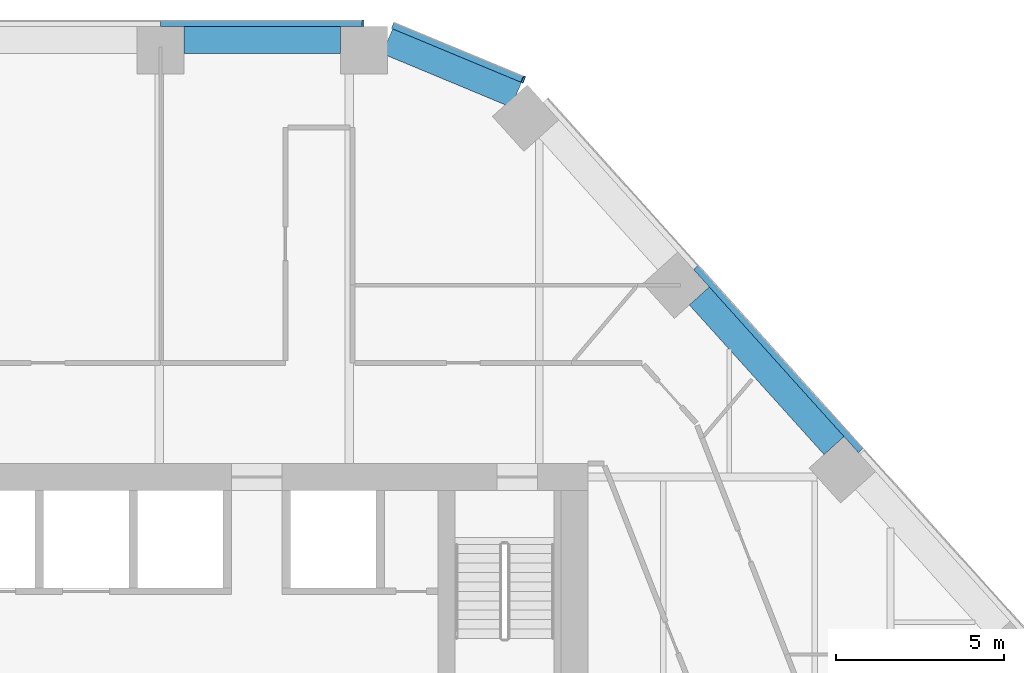
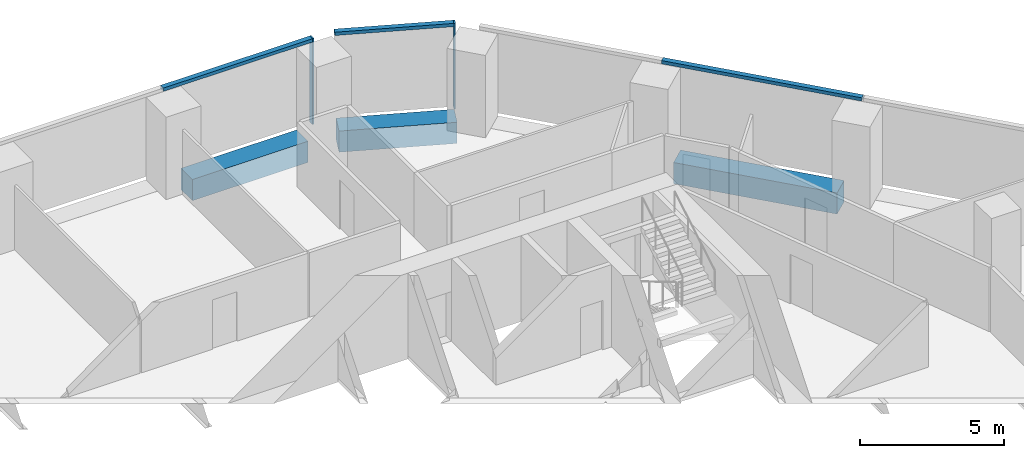
# One storey, part 9 of 16: 5 members, 3 beams, 3 elements without a shape of their own.
"""IFC4 building model written with IfcOpenShell, lengths in metres."""

from ifc_helpers import new_model, si_unit, direction, frame, origin, origin_2d, place, context, subcontext, project, spatial, rectangle, extrude, material, layer, layer_set, material_profile, profile_set, type_object, element, aggregate, save


model = new_model("IFC4")

# Units and contexts
model_context = context("Model", 3, precision=1e-05, world=origin(), true_north=direction((0.0, 1.0)))
body_context = subcontext(model_context, "Body", "Model", "MODEL_VIEW")
ifc_project = project(units=[si_unit("LENGTHUNIT", "METRE"), si_unit("AREAUNIT", "SQUARE_METRE"), si_unit("VOLUMEUNIT", "CUBIC_METRE"), si_unit("PLANEANGLEUNIT", "RADIAN"), si_unit("MASSUNIT", "GRAM", prefix="KILO")], contexts=[model_context])

# Site, building, storey
site_placement = place(None, origin())
site = spatial("IfcSite", under=ifc_project, at=site_placement, CompositionType="ELEMENT")
building_placement = place(site_placement, origin())
building = spatial("IfcBuilding", under=site, at=building_placement, Name="Isthmus Gate Tower", CompositionType="ELEMENT")
storey_placement = place(building_placement, frame((0.0, 0.0, 133.449951171875)))
storey = spatial("IfcBuildingStorey", under=building, at=storey_placement, Name="L32", CompositionType="ELEMENT", Elevation=133.449951171875)

# Curtain wall, member
ifc_material_1 = material(Name="Aluminium, pale champagne anodised", Category="aluminium")
ifc_layer = layer(ifc_material_1, 0.199951171875)
ifc_layer_set = layer_set([ifc_layer], Name="CW-1 UNITISED CURTAIN WALL 200 DEEP")
curtain_wall_type = type_object("IfcCurtainWallType", Name="CW-1 UNITISED CURTAIN WALL 200 DEEP", PredefinedType="NOTDEFINED", material=ifc_layer_set)
curtain_wall_1_placement = place(storey_placement, origin())
curtain_wall_1 = element("IfcCurtainWall", 1, at=curtain_wall_1_placement, inside=storey, type_object=curtain_wall_type, Name="CW-1 N L32", PredefinedType="NOTDEFINED")
ifc_material_2 = material(Name="Aluminium, pale champagne anodised", Category="aluminium")
ifc_material_profile_1 = material_profile(ifc_material_2, rectangle(XDim=0.06005859375, YDim=0.199951171875, at=origin_2d()), Name="60x200")
ifc_profile_set_1 = profile_set([ifc_material_profile_1], Name="Aluminium, pale champagne anodised")
member_type_1 = type_object("IfcMemberType", Name="CW-1 MULLION 60 X 200", PredefinedType="MULLION", material=ifc_profile_set_1)
member_1_placement = place(storey_placement, frame((8.30859375, 28.10009765625, 0.0), z_axis=(0.0, 0.0, 1.0), x_axis=(-1.0, 0.0, 0.0)))
member_1 = element("IfcMember", 2, at=member_1_placement, type_object=member_type_1, Name="CW-1 mullion", PredefinedType="MULLION", context=body_context, shape_type="SweptSolid", body=[
    extrude(rectangle(XDim=0.06005859375, YDim=0.199951171875, at=origin_2d()), origin(), (0.0, 0.0, 1.0), 3.650146484375),
])

curtain_wall_2_placement = place(storey_placement, origin())
curtain_wall_2 = element("IfcCurtainWall", 3, at=curtain_wall_2_placement, inside=storey, type_object=curtain_wall_type, Name="CW-1 NE-N L32", PredefinedType="NOTDEFINED")
member_2_placement = place(storey_placement, frame((13.080810546875, 26.427490234375, 0.0), z_axis=(0.0, 0.0, 1.0), x_axis=(-0.923353128387, 0.383951820282, 0.0)))
member_2 = element("IfcMember", 4, at=member_2_placement, type_object=member_type_1, Name="CW-1 mullion", PredefinedType="MULLION", context=body_context, shape_type="SweptSolid", body=[
    extrude(rectangle(XDim=0.06005859375, YDim=0.199951171875, at=origin_2d()), origin(), (0.0, 0.0, 1.0), 3.650146484375),
])

# Member
ifc_material_3 = material(Name="Aluminium, pale champagne anodised", Category="aluminium")
ifc_material_profile_2 = material_profile(ifc_material_3, rectangle(XDim=0.199951171875, YDim=0.139892578125, at=origin_2d()), Name="200x140")
ifc_profile_set_2 = profile_set([ifc_material_profile_2], Name="Aluminium, pale champagne anodised")
member_type_2 = type_object("IfcMemberType", Name="CW-1 TRANSOM 200 X 140", PredefinedType="USERDEFINED", material=ifc_profile_set_2)
member_3_placement = place(storey_placement, frame((8.278564453125, 28.10009765625, 3.580078125), z_axis=(-1.0, 0.0, 0.0), x_axis=(0.0, -1.0, 0.0)))
member_3 = element("IfcMember", 5, at=member_3_placement, type_object=member_type_2, Name="CW-1 transom", ObjectType="TRANSOM", PredefinedType="USERDEFINED", context=body_context, shape_type="SweptSolid", body=[
    extrude(rectangle(XDim=0.199951171875, YDim=0.139892578125, at=origin_2d()), origin(), (0.0, 0.0, 1.0), 5.990234375),
])

aggregate(curtain_wall_1, [member_1, member_3])

# Curtain wall, member
curtain_wall_3_placement = place(storey_placement, origin())
curtain_wall_3 = element("IfcCurtainWall", 6, at=curtain_wall_3_placement, inside=storey, type_object=curtain_wall_type, Name="CW-1 NE L32", PredefinedType="NOTDEFINED")
member_4_placement = place(storey_placement, frame((23.126708984375, 15.3955078125, 3.580078125), z_axis=(-0.669137671884, 0.743138463589, 0.0), x_axis=(-0.743138463589, -0.669137671884, 0.0)))
member_4 = element("IfcMember", 7, at=member_4_placement, type_object=member_type_2, Name="CW-1 transom", ObjectType="TRANSOM", PredefinedType="USERDEFINED", context=body_context, shape_type="SweptSolid", body=[
    extrude(rectangle(XDim=0.199951171875, YDim=0.139892578125, at=origin_2d()), origin(), (0.0, 0.0, 1.0), 7.330810546875),
])
aggregate(curtain_wall_3, [member_4])

# Member
member_5_placement = place(storey_placement, frame((13.05322265625, 26.43896484375, 3.580078125), z_axis=(-0.923358236369, 0.383939536033, 0.0), x_axis=(-0.383939536033, -0.923358236369, 0.0)))
member_5 = element("IfcMember", 8, at=member_5_placement, type_object=member_type_2, Name="CW-1 transom", ObjectType="TRANSOM", PredefinedType="USERDEFINED", context=body_context, shape_type="SweptSolid", body=[
    extrude(rectangle(XDim=0.199951171875, YDim=0.139892578125, at=origin_2d()), origin(), (0.0, 0.0, 1.0), 4.181640625),
])

aggregate(curtain_wall_2, [member_2, member_5])

# Beams
ifc_material_4 = material(Name="Concrete f'c 60 MPa", Category="concrete")
ifc_material_profile_3 = material_profile(ifc_material_4, rectangle(XDim=0.800048828125, YDim=0.89990234375, at=origin_2d()), Name="RC 800X900")
ifc_profile_set_3 = profile_set([ifc_material_profile_3], Name="Concrete f'c 60 MPa")
beam_type = type_object("IfcBeamType", Name="RC SPANDREL 800 X 900", PredefinedType="SPANDREL", material=ifc_profile_set_3)
beam_1_placement = place(storey_placement, frame((9.03857421875, 27.56689453125, -0.449951171875), z_axis=(0.923342835736, -0.383976571805, 0.0), x_axis=(0.383976571805, 0.923342835736, 0.0)))
element("IfcBeam", 9, at=beam_1_placement, inside=storey, type_object=beam_type, Name="str-spandrel-L32-00", PredefinedType="SPANDREL", context=body_context, shape_type="SweptSolid", body=[
    extrude(rectangle(XDim=0.800048828125, YDim=0.89990234375, at=origin_2d()), origin(), (0.0, 0.0, 1.0), 4.152587890625),
])
beam_2_placement = place(storey_placement, frame((18.318359375, 19.988525390625, -0.449951171875), z_axis=(0.669133582923, -0.743142145356, 0.0), x_axis=(0.743142145356, 0.669133582923, 0.0)))
element("IfcBeam", 10, at=beam_2_placement, inside=storey, type_object=beam_type, Name="str-spandrel-L32-02", PredefinedType="SPANDREL", context=body_context, shape_type="SweptSolid", body=[
    extrude(rectangle(XDim=0.800048828125, YDim=0.89990234375, at=origin_2d()), origin(), (0.0, 0.0, 1.0), 5.99072265625),
])
beam_3_placement = place(storey_placement, frame((2.988525390625, 27.60009765625, -0.449951171875), z_axis=(1.0, 0.0, 0.0), x_axis=(0.0, 1.0, 0.0)))
element("IfcBeam", 11, at=beam_3_placement, inside=storey, type_object=beam_type, Name="str-spandrel-L32-29", PredefinedType="SPANDREL", context=body_context, shape_type="SweptSolid", body=[
    extrude(rectangle(XDim=0.800048828125, YDim=0.89990234375, at=origin_2d()), origin(), (0.0, 0.0, 1.0), 4.650146484375),
])

save(model, "model.ifc")
